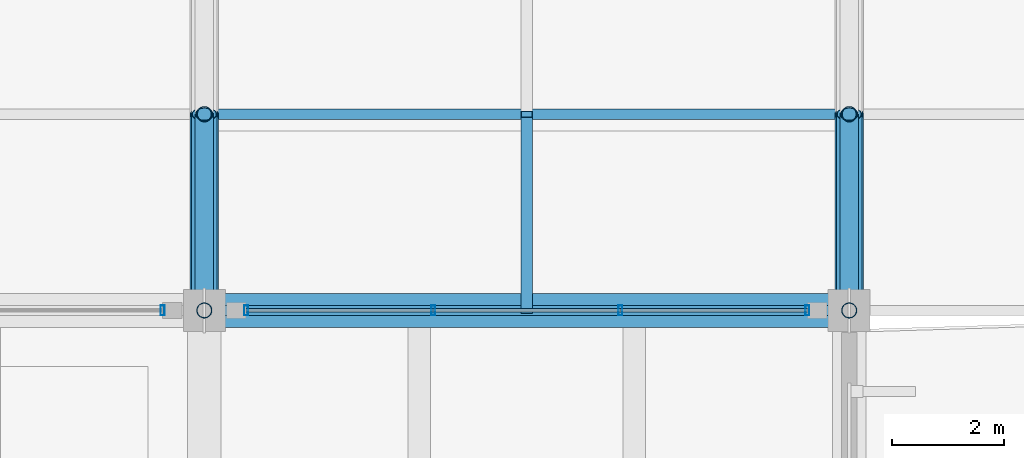
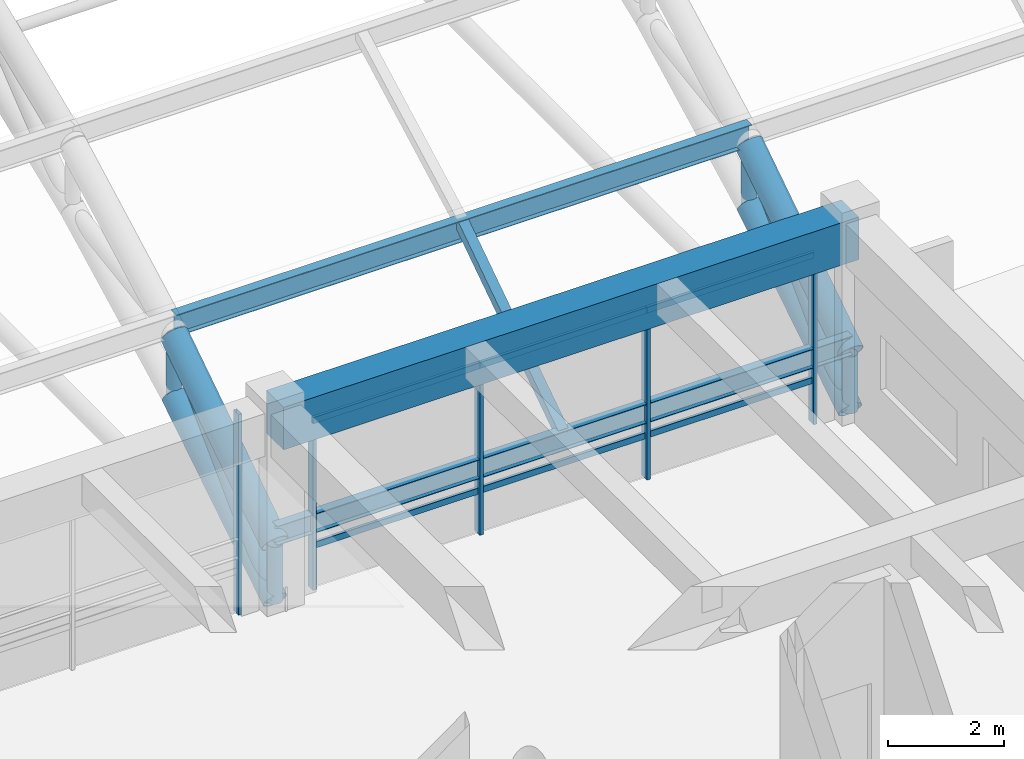
# One storey, part 48 of 154: 24 members, 1 beam, 2 elements without a shape of their own.
"""IFC4 building model written with IfcOpenShell, lengths in metres."""

from ifc_helpers import new_model, si_unit, direction, frame, origin, origin_2d, place, context, subcontext, project, spatial, rectangle, hollow_rectangle, hollow_circle, i_section, extrude, material, material_profile, profile_set, type_object, element, aggregate, save


model = new_model("IFC4")

# Units and contexts
model_context = context("Model", 3, precision=1e-05, world=origin(), true_north=direction((0.0, 1.0)))
body_context = subcontext(model_context, "Body", "Model", "MODEL_VIEW")
ifc_project = project(units=[si_unit("LENGTHUNIT", "METRE"), si_unit("AREAUNIT", "SQUARE_METRE"), si_unit("VOLUMEUNIT", "CUBIC_METRE"), si_unit("PLANEANGLEUNIT", "RADIAN"), si_unit("MASSUNIT", "GRAM", prefix="KILO")], contexts=[model_context])

# Site, building, storey
site_placement = place(None, origin())
site = spatial("IfcSite", under=ifc_project, at=site_placement, CompositionType="ELEMENT")
building_placement = place(site_placement, origin())
building = spatial("IfcBuilding", under=site, at=building_placement, Name="Ologun Quay Terminus", CompositionType="ELEMENT")
storey_placement = place(building_placement, frame((0.0, 0.0, 13.800048828125)))
storey = spatial("IfcBuildingStorey", under=building, at=storey_placement, Name="L03", CompositionType="ELEMENT", Elevation=13.800048828125)

# Members
ifc_material_1 = material(Name="Steel S355", Category="steel")
ifc_material_profile_1 = material_profile(ifc_material_1, hollow_circle(Radius=0.136474609375, WallThickness=0.010009765625, at=origin_2d()), Name="CHS 273x10")
ifc_profile_set_1 = profile_set([ifc_material_profile_1], Name="Steel S355")
member_type_1 = type_object("IfcMemberType", Name="Arch Truss Vertical Post CHS273", PredefinedType="STRUT", material=ifc_profile_set_1)
member_1_placement = place(storey_placement, frame((115.0, 36.0, 0.0), z_axis=(0.0, 0.0, 1.0), x_axis=(1.0, 0.0, 0.0)))
element("IfcMember", 1, at=member_1_placement, inside=storey, type_object=member_type_1, Name="AW2 Arch Web Post 11-N0", PredefinedType="STRUT", context=body_context, shape_type="SweptSolid", body=[
    extrude(hollow_circle(Radius=0.136474609375, WallThickness=0.010009765625, at=origin_2d()), origin(), (0.0, 0.0, 1.0), 1.199951171875),
])
member_2_placement = place(storey_placement, frame((115.0, 39.5, 2.212158203125), z_axis=(0.0, 0.0, 1.0), x_axis=(1.0, 0.0, 0.0)))
element("IfcMember", 2, at=member_2_placement, inside=storey, type_object=member_type_1, Name="AW2 Arch Web Post 11-N1", PredefinedType="STRUT", context=body_context, shape_type="SweptSolid", body=[
    extrude(hollow_circle(Radius=0.136474609375, WallThickness=0.010009765625, at=origin_2d()), origin(), (0.0, 0.0, 1.0), 1.28564453125),
])
member_3_placement = place(storey_placement, frame((126.5, 36.0, 0.0), z_axis=(0.0, 0.0, 1.0), x_axis=(1.0, 0.0, 0.0)))
element("IfcMember", 3, at=member_3_placement, inside=storey, type_object=member_type_1, Name="AW2 Arch Web Post 12-N0", PredefinedType="STRUT", context=body_context, shape_type="SweptSolid", body=[
    extrude(hollow_circle(Radius=0.136474609375, WallThickness=0.010009765625, at=origin_2d()), origin(), (0.0, 0.0, 1.0), 1.199951171875),
])
member_4_placement = place(storey_placement, frame((126.5, 39.5, 2.212158203125), z_axis=(0.0, 0.0, 1.0), x_axis=(1.0, 0.0, 0.0)))
element("IfcMember", 4, at=member_4_placement, inside=storey, type_object=member_type_1, Name="AW2 Arch Web Post 12-N1", PredefinedType="STRUT", context=body_context, shape_type="SweptSolid", body=[
    extrude(hollow_circle(Radius=0.136474609375, WallThickness=0.010009765625, at=origin_2d()), origin(), (0.0, 0.0, 1.0), 1.28564453125),
])
ifc_material_2 = material(Name="Steel S355", Category="steel")
ifc_material_profile_2 = material_profile(ifc_material_2, hollow_circle(Radius=0.161865234375, WallThickness=0.010009765625, at=origin_2d()), Name="CHS 323.9x10")
ifc_profile_set_2 = profile_set([ifc_material_profile_2], Name="Steel S355")
member_type_2 = type_object("IfcMemberType", Name="Arch Truss Web Diagonal CHS323", PredefinedType="BRACE", material=ifc_profile_set_2)
for number, where, z_axis, x_axis, name in (
    (5, (115.0, 36.0, 0.0), (0.0, 0.707328773357, 0.706884719301), (-1.0, 0.0, 0.0), "AW1 Arch Web Diagonal 11-P1"),
    (6, (126.5, 36.0, 0.0), (0.0, 0.707328773357, 0.706884719301), (-1.0, 0.0, 0.0), "AW1 Arch Web Diagonal 12-P1"),
):
    element("IfcMember", number, at=place(storey_placement, frame(where, z_axis=z_axis, x_axis=x_axis)), inside=storey, type_object=member_type_2, Name=name, PredefinedType="BRACE", context=body_context, shape_type="SweptSolid", body=[
        extrude(hollow_circle(Radius=0.161865234375, WallThickness=0.010009765625, at=origin_2d()), origin(), (0.0, 0.0, 1.0), 4.9482421875),
    ])

# Curtain wall, member
ifc_material_3 = material(Name="Aluminium 6063-T6", Category="aluminium")
curtain_wall_type = type_object("IfcCurtainWallType", Name="South Pavilion Clerestory Curtain Wall 10700x4050", PredefinedType="USERDEFINED", material=ifc_material_3)
curtain_wall_1_placement = place(storey_placement, origin())
curtain_wall_1 = element("IfcCurtainWall", 7, at=curtain_wall_1_placement, inside=storey, type_object=curtain_wall_type, Name="CW-07 Curtain Wall CW-L03-044", ObjectType="UNITISED CURTAIN WALL", PredefinedType="USERDEFINED")
ifc_material_4 = material(Name="Aluminium 6063-T6", Category="aluminium")
ifc_material_profile_3 = material_profile(ifc_material_4, hollow_rectangle(XDim=0.070068359375, YDim=0.179931640625, WallThickness=0.0048828125, at=origin_2d()), Name="ALU 180x70x5")
ifc_profile_set_3 = profile_set([ifc_material_profile_3], Name="Aluminium 6063-T6")
member_type_3 = type_object("IfcMemberType", Name="Concourse Clerestory Mullion 180x70", PredefinedType="MULLION", material=ifc_profile_set_3)
member_5_placement = place(storey_placement, frame((114.2548828125, 36.0, 0.0), z_axis=(0.0, 0.0, 1.0), x_axis=(1.0, 0.0, 0.0)))
member_5 = element("IfcMember", 8, at=member_5_placement, type_object=member_type_3, Name="CW-L03-044 Mullion 4", PredefinedType="MULLION", context=body_context, shape_type="SweptSolid", body=[
    extrude(hollow_rectangle(XDim=0.070068359375, YDim=0.179931640625, WallThickness=0.0048828125, at=origin_2d()), origin(), (0.0, 0.0, 1.0), 4.239990234375),
])
aggregate(curtain_wall_1, [member_5])

# Curtain wall, members
curtain_wall_2_placement = place(storey_placement, origin())
curtain_wall_2 = element("IfcCurtainWall", 9, at=curtain_wall_2_placement, inside=storey, type_object=curtain_wall_type, Name="CW-07 Curtain Wall CW-L03-045", ObjectType="UNITISED CURTAIN WALL", PredefinedType="USERDEFINED")
member_6_placement = place(storey_placement, frame((115.7451171875, 36.0, 0.0), z_axis=(0.0, 0.0, 1.0), x_axis=(1.0, 0.0, 0.0)))
member_6 = element("IfcMember", 10, at=member_6_placement, type_object=member_type_3, Name="CW-L03-045 Mullion 1", PredefinedType="MULLION", context=body_context, shape_type="SweptSolid", body=[
    extrude(hollow_rectangle(XDim=0.070068359375, YDim=0.179931640625, WallThickness=0.0048828125, at=origin_2d()), origin(), (0.0, 0.0, 1.0), 4.239990234375),
])
member_7_placement = place(storey_placement, frame((119.081787109375, 36.0, 0.0), z_axis=(0.0, 0.0, 1.0), x_axis=(1.0, 0.0, 0.0)))
member_7 = element("IfcMember", 11, at=member_7_placement, type_object=member_type_3, Name="CW-L03-045 Mullion 2", PredefinedType="MULLION", context=body_context, shape_type="SweptSolid", body=[
    extrude(hollow_rectangle(XDim=0.070068359375, YDim=0.179931640625, WallThickness=0.0048828125, at=origin_2d()), origin(), (0.0, 0.0, 1.0), 4.239990234375),
])
member_8_placement = place(storey_placement, frame((122.418212890625, 36.0, 0.0), z_axis=(0.0, 0.0, 1.0), x_axis=(1.0, 0.0, 0.0)))
member_8 = element("IfcMember", 12, at=member_8_placement, type_object=member_type_3, Name="CW-L03-045 Mullion 3", PredefinedType="MULLION", context=body_context, shape_type="SweptSolid", body=[
    extrude(hollow_rectangle(XDim=0.070068359375, YDim=0.179931640625, WallThickness=0.0048828125, at=origin_2d()), origin(), (0.0, 0.0, 1.0), 4.239990234375),
])
member_9_placement = place(storey_placement, frame((125.7548828125, 36.0, 0.0), z_axis=(0.0, 0.0, 1.0), x_axis=(1.0, 0.0, 0.0)))
member_9 = element("IfcMember", 13, at=member_9_placement, type_object=member_type_3, Name="CW-L03-045 Mullion 4", PredefinedType="MULLION", context=body_context, shape_type="SweptSolid", body=[
    extrude(hollow_rectangle(XDim=0.070068359375, YDim=0.179931640625, WallThickness=0.0048828125, at=origin_2d()), origin(), (0.0, 0.0, 1.0), 4.239990234375),
])
ifc_material_5 = material(Name="Aluminium 6063-T6", Category="aluminium")
ifc_material_profile_4 = material_profile(ifc_material_5, hollow_rectangle(XDim=0.06005859375, YDim=0.1298828125, WallThickness=0.00390625, at=origin_2d()), Name="ALU 130x60x4")
ifc_profile_set_4 = profile_set([ifc_material_profile_4], Name="Aluminium 6063-T6")
member_type_4 = type_object("IfcMemberType", Name="Concourse Clerestory Transom 130x60", PredefinedType="USERDEFINED", material=ifc_profile_set_4)
member_10_placement = place(storey_placement, frame((115.7451171875, 36.0, 0.89990234375), z_axis=(1.0, 0.0, 0.0), x_axis=(0.0, 1.0, 0.0)))
member_10 = element("IfcMember", 14, at=member_10_placement, type_object=member_type_4, Name="CW-L03-045 Transom B1-1", ObjectType="TRANSOM", PredefinedType="USERDEFINED", context=body_context, shape_type="SweptSolid", body=[
    extrude(hollow_rectangle(XDim=0.06005859375, YDim=0.1298828125, WallThickness=0.00390625, at=origin_2d()), origin(), (0.0, 0.0, 1.0), 3.336669921875),
])
member_11_placement = place(storey_placement, frame((115.7451171875, 36.0, 3.5400390625), z_axis=(1.0, 0.0, 0.0), x_axis=(0.0, 1.0, 0.0)))
member_11 = element("IfcMember", 15, at=member_11_placement, type_object=member_type_4, Name="CW-L03-045 Transom B1-2", ObjectType="TRANSOM", PredefinedType="USERDEFINED", context=body_context, shape_type="SweptSolid", body=[
    extrude(hollow_rectangle(XDim=0.06005859375, YDim=0.1298828125, WallThickness=0.00390625, at=origin_2d()), origin(), (0.0, 0.0, 1.0), 3.336669921875),
])
member_12_placement = place(storey_placement, frame((119.081787109375, 36.0, 0.89990234375), z_axis=(1.0, 0.0, 0.0), x_axis=(0.0, 1.0, 0.0)))
member_12 = element("IfcMember", 16, at=member_12_placement, type_object=member_type_4, Name="CW-L03-045 Transom B2-1", ObjectType="TRANSOM", PredefinedType="USERDEFINED", context=body_context, shape_type="SweptSolid", body=[
    extrude(hollow_rectangle(XDim=0.06005859375, YDim=0.1298828125, WallThickness=0.00390625, at=origin_2d()), origin(), (0.0, 0.0, 1.0), 3.33642578125),
])
member_13_placement = place(storey_placement, frame((119.081787109375, 36.0, 3.5400390625), z_axis=(1.0, 0.0, 0.0), x_axis=(0.0, 1.0, 0.0)))
member_13 = element("IfcMember", 17, at=member_13_placement, type_object=member_type_4, Name="CW-L03-045 Transom B2-2", ObjectType="TRANSOM", PredefinedType="USERDEFINED", context=body_context, shape_type="SweptSolid", body=[
    extrude(hollow_rectangle(XDim=0.06005859375, YDim=0.1298828125, WallThickness=0.00390625, at=origin_2d()), origin(), (0.0, 0.0, 1.0), 3.33642578125),
])
member_14_placement = place(storey_placement, frame((122.418212890625, 36.0, 0.89990234375), z_axis=(1.0, 0.0, 0.0), x_axis=(0.0, 1.0, 0.0)))
member_14 = element("IfcMember", 18, at=member_14_placement, type_object=member_type_4, Name="CW-L03-045 Transom B3-1", ObjectType="TRANSOM", PredefinedType="USERDEFINED", context=body_context, shape_type="SweptSolid", body=[
    extrude(hollow_rectangle(XDim=0.06005859375, YDim=0.1298828125, WallThickness=0.00390625, at=origin_2d()), origin(), (0.0, 0.0, 1.0), 3.336669921875),
])
member_15_placement = place(storey_placement, frame((122.418212890625, 36.0, 3.5400390625), z_axis=(1.0, 0.0, 0.0), x_axis=(0.0, 1.0, 0.0)))
member_15 = element("IfcMember", 19, at=member_15_placement, type_object=member_type_4, Name="CW-L03-045 Transom B3-2", ObjectType="TRANSOM", PredefinedType="USERDEFINED", context=body_context, shape_type="SweptSolid", body=[
    extrude(hollow_rectangle(XDim=0.06005859375, YDim=0.1298828125, WallThickness=0.00390625, at=origin_2d()), origin(), (0.0, 0.0, 1.0), 3.336669921875),
])
aggregate(curtain_wall_2, [member_6, member_7, member_8, member_9, member_10, member_11, member_12, member_13, member_14, member_15])

# Members
ifc_material_6 = material(Name="Steel S355", Category="steel")
ifc_material_profile_5 = material_profile(ifc_material_6, hollow_circle(Radius=0.228515625, WallThickness=0.01611328125, at=origin_2d()), Name="CHS 457x16")
ifc_profile_set_5 = profile_set([ifc_material_profile_5], Name="Steel S355")
member_type_5 = type_object("IfcMemberType", Name="Parabolic Arch Bottom Chord CHS457", PredefinedType="CHORD", material=ifc_profile_set_5)
for number, where, z_axis, x_axis, name in (
    (20, (115.0, 36.0, 0.0), (0.0, 0.845310912611, 0.534274705578), (-1.0, 0.0, 0.0), "AC2 Arch Bottom Chord 11-P1"),
    (21, (126.5, 36.0, 0.0), (0.0, 0.845310912611, 0.534274705578), (-1.0, 0.0, 0.0), "AC2 Arch Bottom Chord 12-P1"),
):
    element("IfcMember", number, at=place(storey_placement, frame(where, z_axis=z_axis, x_axis=x_axis)), inside=storey, type_object=member_type_5, Name=name, PredefinedType="CHORD", context=body_context, shape_type="SweptSolid", body=[
        extrude(hollow_circle(Radius=0.228515625, WallThickness=0.01611328125, at=origin_2d()), origin(), (0.0, 0.0, 1.0), 4.140380859375),
    ])
ifc_material_7 = material(Name="Steel S355", Category="steel")
ifc_material_profile_6 = material_profile(ifc_material_7, hollow_circle(Radius=0.25390625, WallThickness=0.01611328125, at=origin_2d()), Name="CHS 508x16")
ifc_profile_set_6 = profile_set([ifc_material_profile_6], Name="Steel S355")
member_type_6 = type_object("IfcMemberType", Name="Parabolic Arch Top Chord CHS508", PredefinedType="CHORD", material=ifc_profile_set_6)
for number, where, z_axis, x_axis, name in (
    (22, (115.0, 36.0, 1.199951171875), (0.0, 0.835940905918, 0.548819461949), (-1.0, 0.0, 0.0), "Arch Top Chord 11-P1"),
    (23, (126.5, 36.0, 1.199951171875), (0.0, 0.835940905918, 0.548819461949), (-1.0, 0.0, 0.0), "Arch Top Chord 12-P1"),
):
    element("IfcMember", number, at=place(storey_placement, frame(where, z_axis=z_axis, x_axis=x_axis)), inside=storey, type_object=member_type_6, Name=name, PredefinedType="CHORD", context=body_context, shape_type="SweptSolid", body=[
        extrude(hollow_circle(Radius=0.25390625, WallThickness=0.01611328125, at=origin_2d()), origin(), (0.0, 0.0, 1.0), 4.18701171875),
    ])
ifc_material_8 = material(Name="Steel S355", Category="steel")
ifc_material_profile_7 = material_profile(ifc_material_8, hollow_rectangle(XDim=0.199951171875, YDim=0.199951171875, WallThickness=0.008056640625, at=origin_2d()), Name="SHS 200x200x8")
ifc_profile_set_7 = profile_set([ifc_material_profile_7], Name="Steel S355")
member_type_7 = type_object("IfcMemberType", Name="Skylight Cross Transom Bar RHS150", PredefinedType="STRUT", material=ifc_profile_set_7)
member_16_placement = place(storey_placement, frame((120.75, 36.0, 1.50341796875), z_axis=(0.0, 0.830398014247, 0.55717065423), x_axis=(-1.0, 0.0, 0.0)))
element("IfcMember", 24, at=member_16_placement, inside=storey, type_object=member_type_7, Name="SK2 Eave Secondary Rafter B11-P1", PredefinedType="STRUT", context=body_context, shape_type="SweptSolid", body=[
    extrude(hollow_rectangle(XDim=0.199951171875, YDim=0.199951171875, WallThickness=0.008056640625, at=origin_2d()), origin(), (0.0, 0.0, 1.0), 4.21484375),
])

# Beam
ifc_material_9 = material(Name="Concrete C40/50", Category="concrete")
ifc_material_profile_8 = material_profile(ifc_material_9, rectangle(XDim=0.60009765625, YDim=0.89990234375, at=origin_2d()), Name="RC 600x900")
ifc_profile_set_8 = profile_set([ifc_material_profile_8], Name="Concrete C40/50")
beam_type = type_object("IfcBeamType", Name="Station Frame Girder 600x900", PredefinedType="BEAM", material=ifc_profile_set_8)
beam_placement = place(storey_placement, frame((115.0, 36.0, 3.800048828125), z_axis=(1.0, 0.0, 0.0), x_axis=(0.0, 1.0, 0.0)))
element("IfcBeam", 25, at=beam_placement, inside=storey, type_object=beam_type, Name="B3 Beam 11/E L03", PredefinedType="BEAM", context=body_context, shape_type="SweptSolid", body=[
    extrude(rectangle(XDim=0.60009765625, YDim=0.89990234375, at=origin_2d()), origin(), (0.0, 0.0, 1.0), 11.5),
])

# Members
ifc_material_10 = material(Name="Steel S355", Category="steel")
ifc_material_profile_9 = material_profile(ifc_material_10, i_section(OverallWidth=0.177978515625, OverallDepth=0.406494140625, WebThickness=0.0078125, FlangeThickness=0.0126953125, at=origin_2d()), Name="UKB 406x178x60")
ifc_profile_set_9 = profile_set([ifc_material_profile_9], Name="Steel S355")
member_type_8 = type_object("IfcMemberType", Name="Train Shed Eave & Ridge Purlin UKB406", PredefinedType="PURLIN", material=ifc_profile_set_9)
member_17_placement = place(storey_placement, frame((115.0, 36.0, 1.403076171875), z_axis=(1.0, 0.0, 0.0), x_axis=(0.0, 1.0, 0.0)))
element("IfcMember", 26, at=member_17_placement, inside=storey, type_object=member_type_8, Name="PR2 Roof Purlin B11-N0", PredefinedType="PURLIN", context=body_context, shape_type="SweptSolid", body=[
    extrude(i_section(OverallWidth=0.177978515625, OverallDepth=0.406494140625, WebThickness=0.0078125, FlangeThickness=0.0126953125, at=origin_2d()), origin(), (0.0, 0.0, 1.0), 11.5),
])
ifc_material_11 = material(Name="Steel S355", Category="steel")
ifc_material_profile_10 = material_profile(ifc_material_11, i_section(OverallWidth=0.1904296875, OverallDepth=0.45703125, WebThickness=0.009033203125, FlangeThickness=0.014404296875, at=origin_2d()), Name="UKB 457x191x74")
ifc_profile_set_10 = profile_set([ifc_material_profile_10], Name="Steel S355")
member_type_9 = type_object("IfcMemberType", Name="Train Shed Primary Roof Purlin UKB457", PredefinedType="PURLIN", material=ifc_profile_set_10)
member_18_placement = place(storey_placement, frame((115.0, 39.5, 3.726318359375), z_axis=(1.0, 0.0, 0.0), x_axis=(0.0, 1.0, 0.0)))
element("IfcMember", 27, at=member_18_placement, inside=storey, type_object=member_type_9, Name="PR1 Roof Purlin B11-N1", PredefinedType="PURLIN", context=body_context, shape_type="SweptSolid", body=[
    extrude(i_section(OverallWidth=0.1904296875, OverallDepth=0.45703125, WebThickness=0.009033203125, FlangeThickness=0.014404296875, at=origin_2d()), origin(), (0.0, 0.0, 1.0), 11.5),
])

save(model, "model.ifc")
